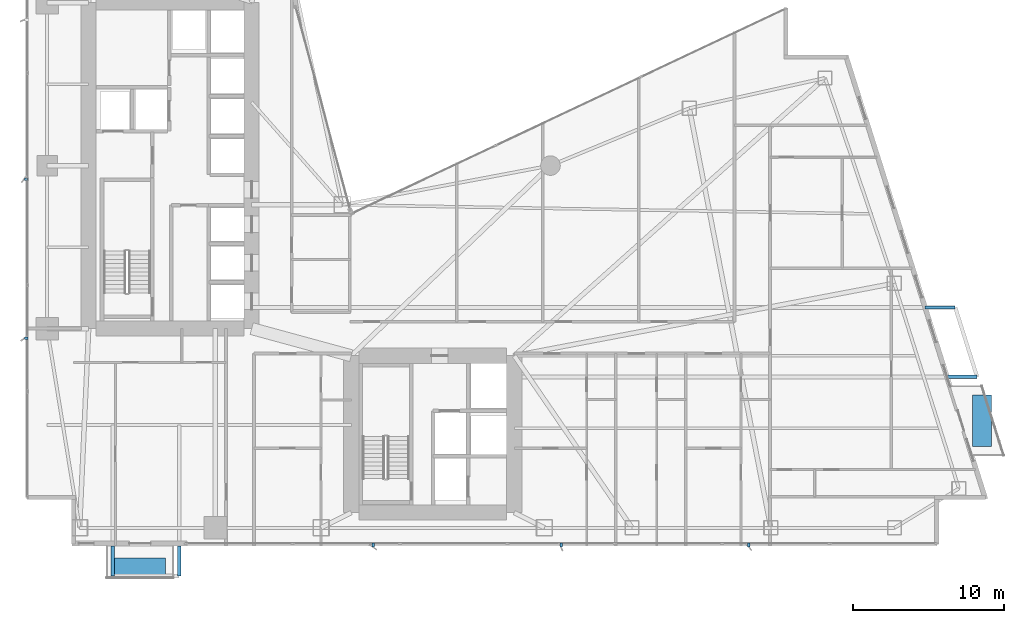
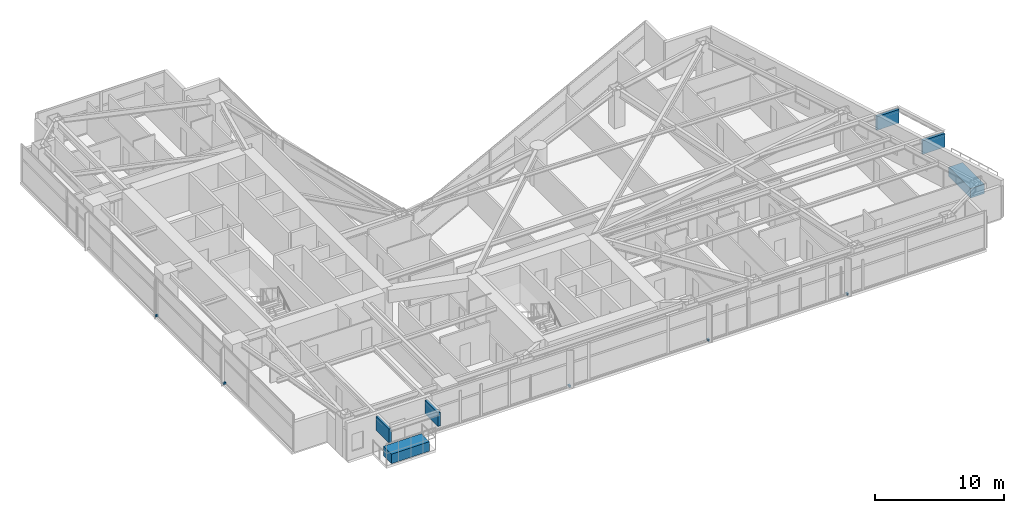
# One storey, part 26 of 30: 11 discrete accessories.
"""IFC4 building model written with IfcOpenShell, lengths in metres."""

from ifc_helpers import new_model, si_unit, direction, frame, origin, origin_2d, place, context, subcontext, project, spatial, rectangle, extrude, material, type_object, element, save


model = new_model("IFC4")

# Units and contexts
model_context = context("Model", 3, precision=1e-05, world=origin(), true_north=direction((0.0, 1.0)))
body_context = subcontext(model_context, "Body", "Model", "MODEL_VIEW")
ifc_project = project(units=[si_unit("LENGTHUNIT", "METRE"), si_unit("AREAUNIT", "SQUARE_METRE"), si_unit("VOLUMEUNIT", "CUBIC_METRE"), si_unit("PLANEANGLEUNIT", "RADIAN"), si_unit("MASSUNIT", "GRAM", prefix="KILO")], contexts=[model_context])

# Site, building, storey
site_placement = place(None, origin())
site = spatial("IfcSite", under=ifc_project, at=site_placement, CompositionType="ELEMENT")
building_placement = place(site_placement, origin())
building = spatial("IfcBuilding", under=site, at=building_placement, Name="Calvorn Quay Hotel", CompositionType="ELEMENT")
storey_placement = place(building_placement, frame((0.0, 0.0, 54.60009765625)))
storey = spatial("IfcBuildingStorey", under=building, at=storey_placement, Name="L12", CompositionType="ELEMENT", Elevation=54.60009765625)

# Discrete accessories
ifc_material_1 = material(Name="Steel Q355B", Category="steel")
discrete_accessory_type_1 = type_object("IfcDiscreteAccessoryType", Name="ACC-BALC-STRUT", PredefinedType="BRACKET", material=ifc_material_1)
for number, where, z_axis, x_axis, name in (
    (1, (62.073974609375, 13.60009765625, 2.0146484375), (0.0, 0.0, 1.0), (1.0, 0.0, 0.0), "Exterior Balcony Steel Bracket L13-BALC-E-A"),
    (2, (60.625, 18.199951171875, 2.0146484375), (0.0, 0.0, 1.0), (1.0, 0.0, 0.0), "Exterior Balcony Steel Bracket L13-BALC-E-B"),
):
    element("IfcDiscreteAccessory", number, at=place(storey_placement, frame(where, z_axis=z_axis, x_axis=x_axis)), inside=storey, type_object=discrete_accessory_type_1, Name=name, PredefinedType="BRACKET", context=body_context, shape_type="SweptSolid", body=[
        extrude(rectangle(XDim=1.989990234375, YDim=0.219970703125, at=origin_2d()), origin(), (0.0, 0.0, 1.0), 1.300048828125),
    ])
for number, where, z_axis, x_axis, name in (
    (3, (5.800048828125, 1.405029296875, 2.0146484375), (0.0, 0.0, 1.0), (1.0, 0.0, 0.0), "Exterior Balcony Steel Bracket L13-BALC-S-A"),
    (4, (10.199951171875, 1.405029296875, 2.0146484375), (0.0, 0.0, 1.0), (1.0, 0.0, 0.0), "Exterior Balcony Steel Bracket L13-BALC-S-B"),
):
    element("IfcDiscreteAccessory", number, at=place(storey_placement, frame(where, z_axis=z_axis, x_axis=x_axis)), inside=storey, type_object=discrete_accessory_type_1, Name=name, PredefinedType="BRACKET", context=body_context, shape_type="SweptSolid", body=[
        extrude(rectangle(XDim=0.219970703125, YDim=1.989990234375, at=origin_2d()), origin(), (0.0, 0.0, 1.0), 1.300048828125),
    ])
ifc_material_2 = material(Name="Steel Q355B", Category="steel")
discrete_accessory_type_2 = type_object("IfcDiscreteAccessoryType", Name="ACC-FIN-BRACKET", PredefinedType="BRACKET", material=ifc_material_2)
for number, where, z_axis, x_axis, name in (
    (5, (0.06005859375, 16.14990234375, 0.02978515625), (0.0, 0.0, 1.0), (1.0, 0.0, 0.0), "Fin Anchor Bracket L12-W01"),
    (6, (0.06005859375, 26.699951171875, 0.02978515625), (0.0, 0.0, 1.0), (1.0, 0.0, 0.0), "Fin Anchor Bracket L12-W02"),
    (7, (23.050048828125, 2.4599609375, 0.02978515625), (0.0, 0.0, 1.0), (0.0, 1.0, 0.0), "Fin Anchor Bracket L12-S01"),
    (8, (35.5, 2.4599609375, 0.02978515625), (0.0, 0.0, 1.0), (0.0, 1.0, 0.0), "Fin Anchor Bracket L12-S02"),
    (9, (47.949951171875, 2.4599609375, 0.02978515625), (0.0, 0.0, 1.0), (0.0, 1.0, 0.0), "Fin Anchor Bracket L12-S03"),
):
    element("IfcDiscreteAccessory", number, at=place(storey_placement, frame(where, z_axis=z_axis, x_axis=x_axis)), inside=storey, type_object=discrete_accessory_type_2, Name=name, PredefinedType="BRACKET", context=body_context, shape_type="SweptSolid", body=[
        extrude(rectangle(XDim=0.239990234375, YDim=0.159912109375, at=origin_2d()), origin(), (0.0, 0.0, 1.0), 0.179931640625),
    ])
ifc_material_3 = material(Name="Precast concrete C40", Category="concrete")
discrete_accessory_type_3 = type_object("IfcDiscreteAccessoryType", Name="ACC-TREE-PLANTER", PredefinedType="USERDEFINED", material=ifc_material_3)
discrete_accessory_1_placement = place(storey_placement, frame((63.403076171875, 10.699951171875, 0.0), z_axis=(0.0, 0.0, 1.0), x_axis=(1.0, 0.0, 0.0)))
element("IfcDiscreteAccessory", 10, at=discrete_accessory_1_placement, inside=storey, type_object=discrete_accessory_type_3, Name="Subtropical Tree Structural Planter L12-BALC-E", ObjectType="PLANTER", PredefinedType="USERDEFINED", context=body_context, shape_type="SweptSolid", body=[
    extrude(rectangle(XDim=1.25, YDim=3.39990234375, at=origin_2d()), origin(), (0.0, 0.0, 1.0), 0.89990234375),
])
discrete_accessory_2_placement = place(storey_placement, frame((7.60009765625, 0.989990234375, 0.0), z_axis=(0.0, 0.0, 1.0), x_axis=(1.0, 0.0, 0.0)))
element("IfcDiscreteAccessory", 11, at=discrete_accessory_2_placement, inside=storey, type_object=discrete_accessory_type_3, Name="Subtropical Tree Structural Planter L12-BALC-S", ObjectType="PLANTER", PredefinedType="USERDEFINED", context=body_context, shape_type="SweptSolid", body=[
    extrude(rectangle(XDim=3.39990234375, YDim=1.25, at=origin_2d()), origin(), (0.0, 0.0, 1.0), 0.89990234375),
])

save(model, "model.ifc")
